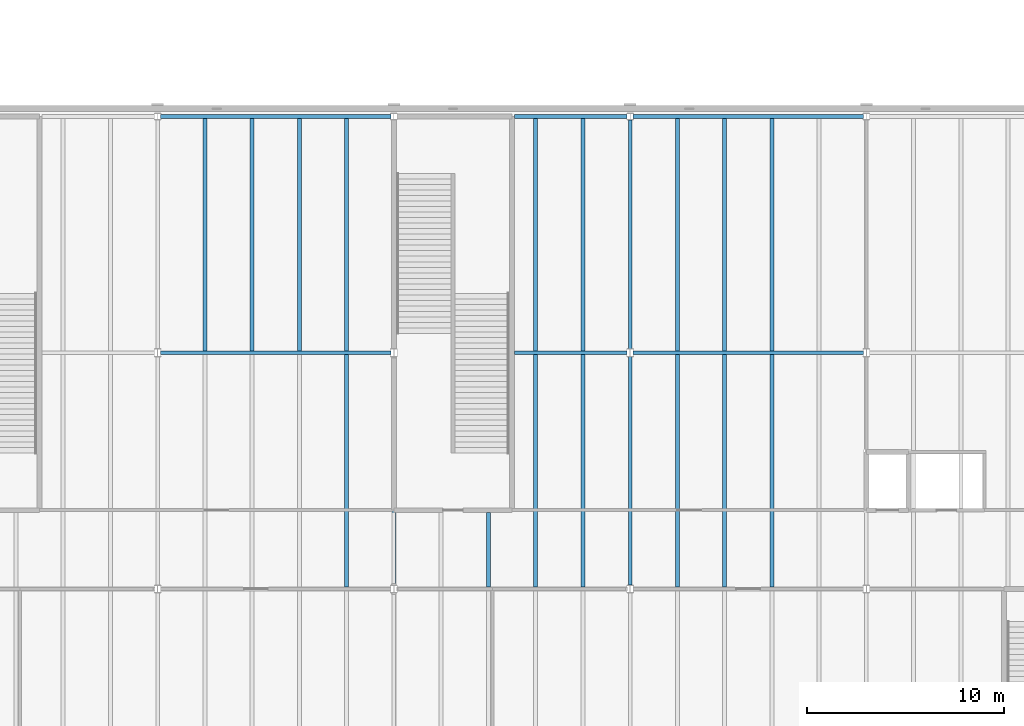
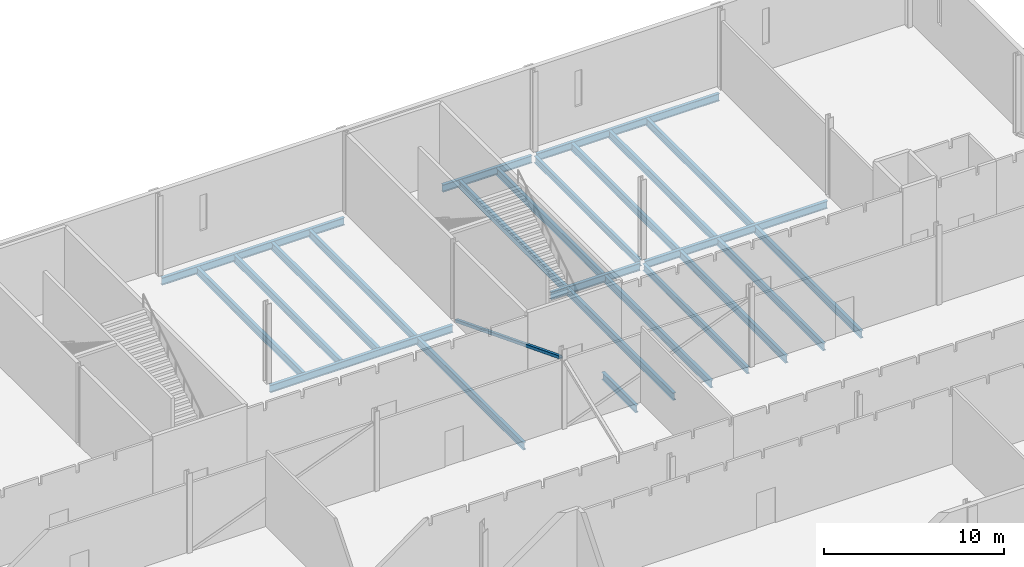
# One storey, part 50 of 170: 24 beams, 1 member.
"""IFC4 building model written with IfcOpenShell, lengths in metres."""

from ifc_helpers import new_model, si_unit, direction, frame, origin, origin_2d, place, context, subcontext, project, spatial, hollow_rectangle, i_section, extrude, material, material_profile, profile_set, type_object, element, save


model = new_model("IFC4")

# Units and contexts
model_context = context("Model", 3, precision=1e-05, world=origin(), true_north=direction((0.0, 1.0)))
body_context = subcontext(model_context, "Body", "Model", "MODEL_VIEW")
ifc_project = project(units=[si_unit("LENGTHUNIT", "METRE"), si_unit("AREAUNIT", "SQUARE_METRE"), si_unit("VOLUMEUNIT", "CUBIC_METRE"), si_unit("PLANEANGLEUNIT", "RADIAN"), si_unit("MASSUNIT", "GRAM", prefix="KILO")], contexts=[model_context])

# Site, building, storey
site_placement = place(None, origin())
site = spatial("IfcSite", under=ifc_project, at=site_placement, CompositionType="ELEMENT")
building_placement = place(site_placement, origin())
building = spatial("IfcBuilding", under=site, at=building_placement, Name="Ravi Spectrum Wholesale Market", CompositionType="ELEMENT")
storey_placement = place(building_placement, frame((0.0, 0.0, 5.39990234375)))
storey = spatial("IfcBuildingStorey", under=building, at=storey_placement, Name="L01", CompositionType="ELEMENT", Elevation=5.39990234375)

# Beams
ifc_material_1 = material(Name="Steel S355", Category="steel")
ifc_material_profile_1 = material_profile(ifc_material_1, i_section(OverallWidth=0.18994140625, OverallDepth=0.449951171875, WebThickness=0.009521484375, FlangeThickness=0.0146484375, at=origin_2d()))
ifc_profile_set_1 = profile_set([ifc_material_profile_1], Name="Steel S355")
beam_type_1 = type_object("IfcBeamType", Name="IPE 450 girder", PredefinedType="BEAM", material=ifc_profile_set_1)
beam_1_placement = place(storey_placement, frame((258.0, 42.199951171875, -0.474853515625), z_axis=(0.0, 1.0, 0.0), x_axis=(-1.0, 0.0, 0.0)))
element("IfcBeam", 1, at=beam_1_placement, inside=storey, type_object=beam_type_1, Name="CS-BM-L01-057", PredefinedType="BEAM", context=body_context, shape_type="SweptSolid", body=[
    extrude(i_section(OverallWidth=0.18994140625, OverallDepth=0.449951171875, WebThickness=0.009521484375, FlangeThickness=0.0146484375, at=origin_2d()), origin(), (0.0, 0.0, 1.0), 11.60009765625),
])
beam_2_placement = place(storey_placement, frame((258.0, 54.199951171875, -0.474853515625), z_axis=(0.0, 1.0, 0.0), x_axis=(-1.0, 0.0, 0.0)))
element("IfcBeam", 2, at=beam_2_placement, inside=storey, type_object=beam_type_1, Name="CS-BM-L01-058", PredefinedType="BEAM", context=body_context, shape_type="SweptSolid", body=[
    extrude(i_section(OverallWidth=0.18994140625, OverallDepth=0.449951171875, WebThickness=0.009521484375, FlangeThickness=0.0146484375, at=origin_2d()), origin(), (0.0, 0.0, 1.0), 11.630126953125),
])
ifc_material_2 = material(Name="Steel S355", Category="steel")
ifc_material_profile_2 = material_profile(ifc_material_2, i_section(OverallWidth=0.199951171875, OverallDepth=0.5, WebThickness=0.01025390625, FlangeThickness=0.01611328125, at=origin_2d()))
ifc_profile_set_2 = profile_set([ifc_material_profile_2], Name="Steel S355")
beam_type_2 = type_object("IfcBeamType", Name="IPE 500 beam", PredefinedType="BEAM", material=ifc_profile_set_2)
beam_3_placement = place(storey_placement, frame((234.14990234375, 54.0, -0.5), z_axis=(1.0, 0.0, 0.0), x_axis=(0.0, 1.0, 0.0)))
element("IfcBeam", 3, at=beam_3_placement, inside=storey, type_object=beam_type_2, Name="CS-BM-L01-025", PredefinedType="BEAM", context=body_context, shape_type="SweptSolid", body=[
    extrude(i_section(OverallWidth=0.199951171875, OverallDepth=0.5, WebThickness=0.01025390625, FlangeThickness=0.01611328125, at=origin_2d()), origin(), (0.0, 0.0, 1.0), 11.7001953125),
])
beam_4_placement = place(storey_placement, frame((252.125, 54.0, -0.5), z_axis=(1.0, 0.0, 0.0), x_axis=(0.0, 1.0, 0.0)))
element("IfcBeam", 4, at=beam_4_placement, inside=storey, type_object=beam_type_2, Name="CS-BM-L01-026", PredefinedType="BEAM", context=body_context, shape_type="SweptSolid", body=[
    extrude(i_section(OverallWidth=0.199951171875, OverallDepth=0.5, WebThickness=0.01025390625, FlangeThickness=0.01611328125, at=origin_2d()), origin(), (0.0, 0.0, 1.0), 5.72509765625),
])
for number, where, z_axis, x_axis, name in (
    (5, (258.14990234375, 54.0, -0.5), (1.0, 0.0, 0.0), (0.0, 1.0, 0.0), "CS-BM-L01-027"),
    (6, (234.14990234375, 66.0, -0.5), (1.0, 0.0, 0.0), (0.0, 1.0, 0.0), "CS-BM-L01-032"),
):
    element("IfcBeam", number, at=place(storey_placement, frame(where, z_axis=z_axis, x_axis=x_axis)), inside=storey, type_object=beam_type_2, Name=name, PredefinedType="BEAM", context=body_context, shape_type="SweptSolid", body=[
        extrude(i_section(OverallWidth=0.199951171875, OverallDepth=0.5, WebThickness=0.01025390625, FlangeThickness=0.01611328125, at=origin_2d()), origin(), (0.0, 0.0, 1.0), 11.7001953125),
    ])
beam_5_placement = place(storey_placement, frame((252.125, 66.0, -0.5), z_axis=(1.0, 0.0, 0.0), x_axis=(0.0, 1.0, 0.0)))
element("IfcBeam", 7, at=beam_5_placement, inside=storey, type_object=beam_type_2, Name="CS-BM-L01-033", PredefinedType="BEAM", context=body_context, shape_type="SweptSolid", body=[
    extrude(i_section(OverallWidth=0.199951171875, OverallDepth=0.5, WebThickness=0.01025390625, FlangeThickness=0.01611328125, at=origin_2d()), origin(), (0.0, 0.0, 1.0), 5.72509765625),
])
beam_6_placement = place(storey_placement, frame((258.14990234375, 66.0, -0.5), z_axis=(1.0, 0.0, 0.0), x_axis=(0.0, 1.0, 0.0)))
element("IfcBeam", 8, at=beam_6_placement, inside=storey, type_object=beam_type_2, Name="CS-BM-L01-034", PredefinedType="BEAM", context=body_context, shape_type="SweptSolid", body=[
    extrude(i_section(OverallWidth=0.199951171875, OverallDepth=0.5, WebThickness=0.01025390625, FlangeThickness=0.01611328125, at=origin_2d()), origin(), (0.0, 0.0, 1.0), 11.7001953125),
])
for number, where, z_axis, x_axis, name in (
    (9, (243.60009765625, 42.10009765625, -0.5), (0.0, 1.0, 0.0), (-1.0, 0.0, 0.0), "CS-BM-L01-127"),
    (10, (236.39990234375, 54.10009765625, -0.5), (0.0, 1.0, 0.0), (-1.0, 0.0, 0.0), "CS-BM-L01-128"),
    (11, (238.800048828125, 54.10009765625, -0.5), (0.0, 1.0, 0.0), (-1.0, 0.0, 0.0), "CS-BM-L01-129"),
    (12, (241.199951171875, 54.10009765625, -0.5), (0.0, 1.0, 0.0), (-1.0, 0.0, 0.0), "CS-BM-L01-130"),
    (13, (243.60009765625, 54.10009765625, -0.5), (0.0, 1.0, 0.0), (-1.0, 0.0, 0.0), "CS-BM-L01-131"),
):
    element("IfcBeam", number, at=place(storey_placement, frame(where, z_axis=z_axis, x_axis=x_axis)), inside=storey, type_object=beam_type_2, Name=name, PredefinedType="BEAM", context=body_context, shape_type="SweptSolid", body=[
        extrude(i_section(OverallWidth=0.199951171875, OverallDepth=0.5, WebThickness=0.01025390625, FlangeThickness=0.01611328125, at=origin_2d()), origin(), (0.0, 0.0, 1.0), 11.7998046875),
    ])
beam_7_placement = place(storey_placement, frame((250.800048828125, 42.10009765625, -0.5), z_axis=(0.0, 1.0, 0.0), x_axis=(-1.0, 0.0, 0.0)))
element("IfcBeam", 14, at=beam_7_placement, inside=storey, type_object=beam_type_2, Name="CS-BM-L01-141", PredefinedType="BEAM", context=body_context, shape_type="SweptSolid", body=[
    extrude(i_section(OverallWidth=0.199951171875, OverallDepth=0.5, WebThickness=0.01025390625, FlangeThickness=0.01611328125, at=origin_2d()), origin(), (0.0, 0.0, 1.0), 3.77490234375),
])
for number, where, z_axis, x_axis, name in (
    (15, (253.199951171875, 42.10009765625, -0.5), (0.0, 1.0, 0.0), (-1.0, 0.0, 0.0), "CS-BM-L01-142"),
    (16, (255.60009765625, 42.10009765625, -0.5), (0.0, 1.0, 0.0), (-1.0, 0.0, 0.0), "CS-BM-L01-143"),
    (17, (253.199951171875, 54.10009765625, -0.5), (0.0, 1.0, 0.0), (-1.0, 0.0, 0.0), "CS-BM-L01-144"),
    (18, (255.60009765625, 54.10009765625, -0.5), (0.0, 1.0, 0.0), (-1.0, 0.0, 0.0), "CS-BM-L01-145"),
    (19, (260.39990234375, 42.10009765625, -0.5), (0.0, 1.0, 0.0), (-1.0, 0.0, 0.0), "CS-BM-L01-154"),
    (20, (262.800048828125, 42.10009765625, -0.5), (0.0, 1.0, 0.0), (-1.0, 0.0, 0.0), "CS-BM-L01-155"),
    (21, (265.199951171875, 42.10009765625, -0.5), (0.0, 1.0, 0.0), (-1.0, 0.0, 0.0), "CS-BM-L01-156"),
    (22, (260.39990234375, 54.10009765625, -0.5), (0.0, 1.0, 0.0), (-1.0, 0.0, 0.0), "CS-BM-L01-158"),
    (23, (262.800048828125, 54.10009765625, -0.5), (0.0, 1.0, 0.0), (-1.0, 0.0, 0.0), "CS-BM-L01-159"),
    (24, (265.199951171875, 54.10009765625, -0.5), (0.0, 1.0, 0.0), (-1.0, 0.0, 0.0), "CS-BM-L01-160"),
):
    element("IfcBeam", number, at=place(storey_placement, frame(where, z_axis=z_axis, x_axis=x_axis)), inside=storey, type_object=beam_type_2, Name=name, PredefinedType="BEAM", context=body_context, shape_type="SweptSolid", body=[
        extrude(i_section(OverallWidth=0.199951171875, OverallDepth=0.5, WebThickness=0.01025390625, FlangeThickness=0.01611328125, at=origin_2d()), origin(), (0.0, 0.0, 1.0), 11.7998046875),
    ])

# Member
ifc_material_3 = material(Name="Steel S355", Category="steel")
ifc_material_profile_3 = material_profile(ifc_material_3, hollow_rectangle(XDim=0.199951171875, YDim=0.199951171875, WallThickness=0.008056640625, InnerFilletRadius=0.008056640625, OuterFilletRadius=0.01611328125, at=origin_2d()))
ifc_profile_set_3 = profile_set([ifc_material_profile_3], Name="Steel S355")
member_type = type_object("IfcMemberType", Name="SHS 200x200x8 brace", PredefinedType="BRACE", material=ifc_profile_set_3)
member_placement = place(storey_placement, frame((246.0, 42.236572265625, 4.60693359375), z_axis=(0.0, 0.93115604106, -0.364620936314), x_axis=(-1.0, 0.0, 0.0)))
element("IfcMember", 25, at=member_placement, inside=storey, type_object=member_type, Name="CS-MB-L01-010", PredefinedType="BRACE", context=body_context, shape_type="SweptSolid", body=[
    extrude(hollow_rectangle(XDim=0.199951171875, YDim=0.199951171875, WallThickness=0.008056640625, InnerFilletRadius=0.008056640625, OuterFilletRadius=0.01611328125, at=origin_2d()), origin(), (0.0, 0.0, 1.0), 12.379150390625),
])

save(model, "model.ifc")
